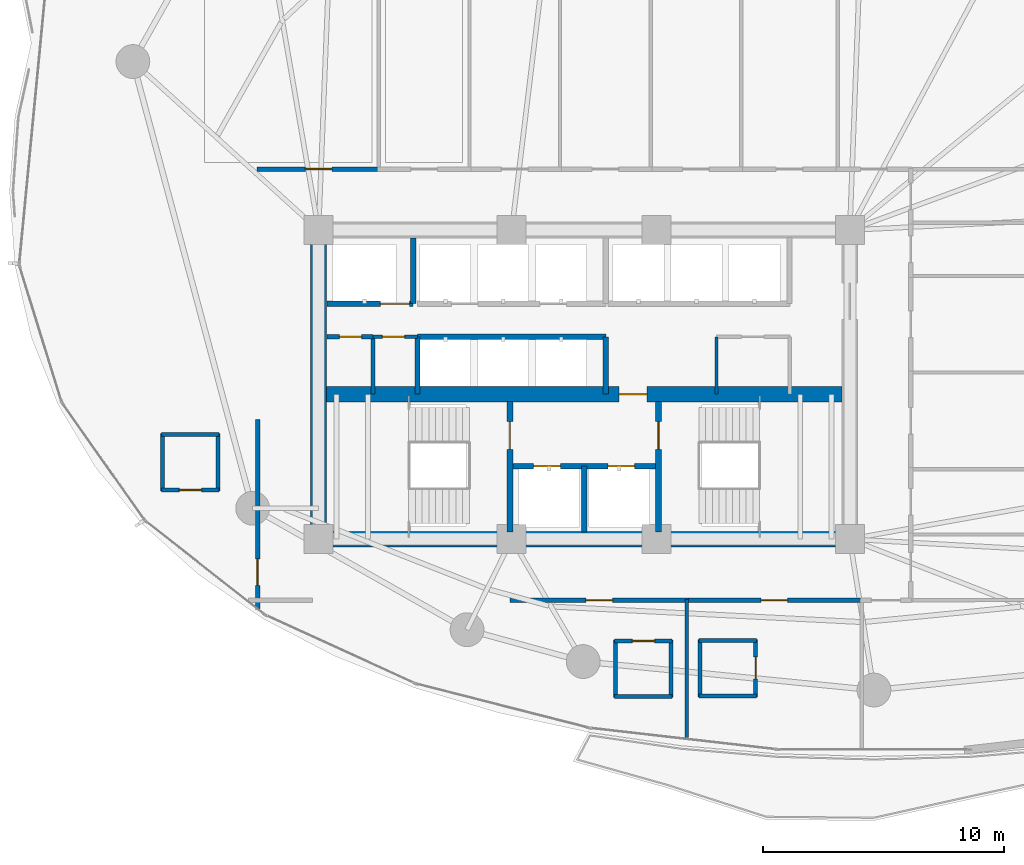
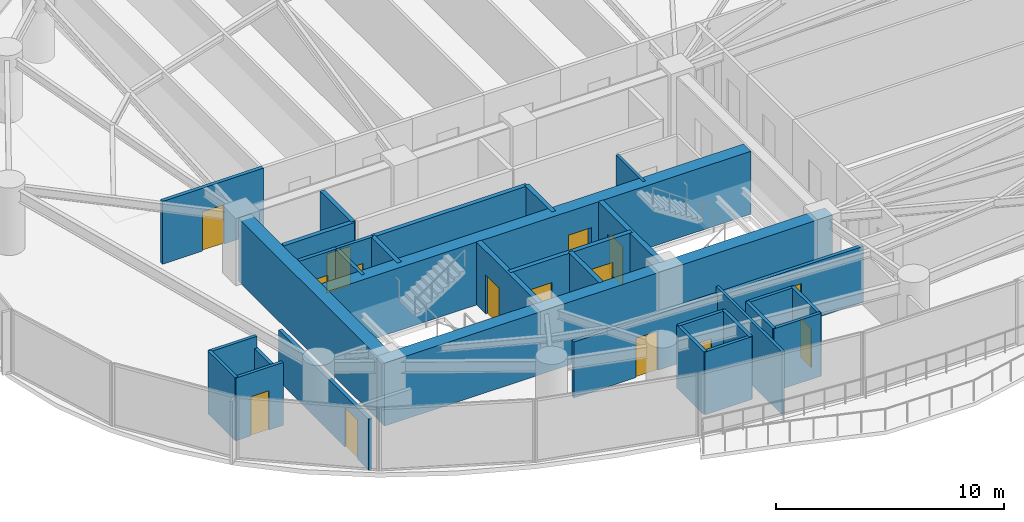
# One storey, part 25 of 32: 33 walls, 15 doors, 15 openings.
"""IFC4 building model written with IfcOpenShell, lengths in metres."""

from ifc_helpers import new_model, si_unit, direction, frame, frame_2d, origin, place, context, subcontext, project, spatial, rectangle, extrude, material, layer, layer_set, type_object, element, fill, save


model = new_model("IFC4")

# Units and contexts
model_context = context("Model", 3, precision=1e-05, world=origin(), true_north=direction((0.0, 1.0)))
body_context = subcontext(model_context, "Body", "Model", "MODEL_VIEW")
ifc_project = project(units=[si_unit("LENGTHUNIT", "METRE"), si_unit("AREAUNIT", "SQUARE_METRE"), si_unit("VOLUMEUNIT", "CUBIC_METRE"), si_unit("PLANEANGLEUNIT", "RADIAN"), si_unit("MASSUNIT", "GRAM", prefix="KILO")], contexts=[model_context])

# Site, building, storey
site_placement = place(None, origin())
site = spatial("IfcSite", under=ifc_project, at=site_placement, CompositionType="ELEMENT")
building_placement = place(site_placement, origin())
building = spatial("IfcBuilding", under=site, at=building_placement, Name="Kazevale Care Tower and Concert Hall", CompositionType="ELEMENT")
storey_placement = place(building_placement, frame((0.0, 0.0, 38.39990234375)))
storey = spatial("IfcBuildingStorey", under=building, at=storey_placement, Name="L09", CompositionType="ELEMENT", Elevation=38.39990234375)

# Walls
ifc_material_1 = material(Name="Acoustic Gypsum on Steel Stud", Category="steel")
ifc_layer_1 = layer(ifc_material_1, 0.139892578125)
ifc_layer_set_1 = layer_set([ifc_layer_1], Name="Acoustic Gypsum on Steel Stud")
wall_type_1 = type_object("IfcWallType", Name="Acoustic Care & Suite Partition 140", PredefinedType="PARTITIONING", material=ifc_layer_set_1)
wall_1_placement = place(storey_placement, frame((38.47998046875, 29.6201171875, 0.0), z_axis=(0.0, 0.0, 1.0), x_axis=(0.0, 1.0, 0.0)))
element("IfcWall", 1, at=wall_1_placement, inside=storey, type_object=wall_type_1, Name="wall:L09:kb_ew", PredefinedType="PARTITIONING", context=body_context, shape_type="SweptSolid", body=[
    extrude(rectangle(XDim=2.35986328125, YDim=0.139892578125, at=frame_2d((1.179931640625, 0.0))), origin(), (0.0, 0.0, 1.0), 3.360107421875),
])
wall_2_placement = place(storey_placement, frame((37.25, 21.10498046875, 0.0), z_axis=(0.0, 0.0, 1.0), x_axis=(0.0, -1.0, 0.0)))
element("IfcWall", 2, at=wall_2_placement, inside=storey, type_object=wall_type_1, Name="wall:L09:auto_032", PredefinedType="PARTITIONING", context=body_context, shape_type="SweptSolid", body=[
    extrude(rectangle(XDim=5.775634765625, YDim=0.139892578125, at=frame_2d((2.8876953125, 0.0))), origin(), (0.0, 0.0, 1.0), 3.360107421875),
])
ifc_material_2 = material(Name="Concrete C70", Category="concrete")
ifc_layer_2 = layer(ifc_material_2, 0.64990234375)
ifc_layer_set_2 = layer_set([ifc_layer_2], Name="Concrete C70")
wall_type_2 = type_object("IfcWallType", Name="Core Shear Wall 650 C70", PredefinedType="SHEAR", material=ifc_layer_set_2)
wall_3_placement = place(storey_placement, frame((21.675048828125, 23.60009765625, 0.0), z_axis=(0.0, 0.0, 1.0), x_axis=(1.0, 0.0, 0.0)))
element("IfcWall", 3, at=wall_3_placement, inside=storey, type_object=wall_type_2, Name="wall:L09:core:S", PredefinedType="SHEAR", context=body_context, shape_type="SweptSolid", body=[
    extrude(rectangle(XDim=22.64990234375, YDim=0.64990234375, at=frame_2d((11.324951171875, 0.0))), origin(), (0.0, 0.0, 1.0), 3.360107421875),
])
wall_4_placement = place(storey_placement, frame((22.0, 23.925048828125, 0.0), z_axis=(0.0, 0.0, 1.0), x_axis=(0.0, 1.0, 0.0)))
element("IfcWall", 4, at=wall_4_placement, inside=storey, type_object=wall_type_2, Name="wall:L09:core:W", PredefinedType="SHEAR", context=body_context, shape_type="SweptSolid", body=[
    extrude(rectangle(XDim=12.14990234375, YDim=0.64990234375, at=frame_2d((6.074951171875, 0.0))), origin(), (0.0, 0.0, 1.0), 3.360107421875),
])

# Wall, opening, door
wall_5_placement = place(storey_placement, frame((22.324951171875, 29.60009765625, 0.0), z_axis=(0.0, 0.0, 1.0), x_axis=(1.0, 0.0, 0.0)))
wall_5 = element("IfcWall", 5, at=wall_5_placement, inside=storey, type_object=wall_type_2, Name="wall:L09:core:M", PredefinedType="SHEAR", context=body_context, shape_type="SweptSolid", body=[
    extrude(rectangle(XDim=21.35009765625, YDim=0.64990234375, at=frame_2d((10.675048828125, 0.0))), origin(), (0.0, 0.0, 1.0), 3.360107421875),
])
opening_1_placement = place(wall_5_placement, frame((12.125, 0.0, 0.0)))
opening_1 = element("IfcOpeningElement", 6, at=opening_1_placement, cuts=wall_5, Name="Opening FD-90", PredefinedType="OPENING", context=body_context, shape_type="SweptSolid", body=[
    extrude(rectangle(XDim=1.14990234375, YDim=2.10009765625, at=frame_2d((0.574951171875, 1.050048828125))), frame((0.0, 0.3349609375, 0.0), z_axis=(0.0, -1.0, 0.0), x_axis=(1.0, 0.0, 0.0)), (0.0, 0.0, 1.0), 0.669921875),
])
ifc_material_3 = material(Name="Steel ASTM A572 Gr 50", Category="steel")
door_type_1 = type_object("IfcDoorType", Name="Pressurized Stair & Lobby Fire Door 1150x2100", OperationType="NOTDEFINED", PredefinedType="DOOR", material=ifc_material_3)
door_1_placement = place(opening_1_placement, origin())
door_1 = element("IfcDoor", 7, at=door_1_placement, inside=storey, type_object=door_type_1, Name="door:L09:ff_to_pax", OperationType="SINGLE_SWING_LEFT", OverallHeight=2.10009765625, OverallWidth=1.14990234375, PredefinedType="DOOR", context=body_context, shape_type="SweptSolid", body=[
    extrude(rectangle(XDim=1.14990234375, YDim=2.10009765625, at=frame_2d((0.574951171875, 1.050048828125))), frame((0.0, 0.02490234375, 0.0), z_axis=(0.0, -1.0, 0.0), x_axis=(1.0, 0.0, 0.0)), (0.0, 0.0, 1.0), 0.050048828125),
])
fill(opening_1, door_1)

# Wall, openings, doors
ifc_material_4 = material(Name="Concrete C40", Category="concrete")
ifc_layer_3 = layer(ifc_material_4, 0.219970703125)
ifc_layer_set_3 = layer_set([ifc_layer_3], Name="Concrete C40")
wall_type_3 = type_object("IfcWallType", Name="Elevator Hoistway Shaft Wall 220", PredefinedType="SOLIDWALL", material=ifc_layer_set_3)
wall_6_placement = place(storey_placement, frame((29.919921875, 26.6201171875, 0.0), z_axis=(0.0, 0.0, 1.0), x_axis=(1.0, 0.0, 0.0)))
wall_6 = element("IfcWall", 8, at=wall_6_placement, inside=storey, type_object=wall_type_3, Name="wall:L09:c_ffl_n", PredefinedType="SOLIDWALL", context=body_context, shape_type="SweptSolid", body=[
    extrude(rectangle(XDim=6.16015625, YDim=0.219970703125, at=frame_2d((3.080078125, 0.0))), origin(), (0.0, 0.0, 1.0), 3.360107421875),
])
opening_2_placement = place(wall_6_placement, frame((0.989990234375, 0.0, 0.0)))
opening_2 = element("IfcOpeningElement", 9, at=opening_2_placement, cuts=wall_6, Name="Opening LD-FF", PredefinedType="OPENING", context=body_context, shape_type="SweptSolid", body=[
    extrude(rectangle(XDim=1.10009765625, YDim=2.10009765625, at=frame_2d((0.550048828125, 1.050048828125))), frame((0.0, 0.119873046875, 0.0), z_axis=(0.0, -1.0, 0.0), x_axis=(1.0, 0.0, 0.0)), (0.0, 0.0, 1.0), 0.239990234375),
])
opening_3_placement = place(wall_6_placement, frame((4.070068359375, 0.0, 0.0)))
opening_3 = element("IfcOpeningElement", 10, at=opening_3_placement, cuts=wall_6, Name="Opening LD-FF", PredefinedType="OPENING", context=body_context, shape_type="SweptSolid", body=[
    extrude(rectangle(XDim=1.10009765625, YDim=2.10009765625, at=frame_2d((0.550048828125, 1.050048828125))), frame((0.0, 0.119873046875, 0.0), z_axis=(0.0, -1.0, 0.0), x_axis=(1.0, 0.0, 0.0)), (0.0, 0.0, 1.0), 0.239990234375),
])
ifc_material_5 = material(Name="Stainless Steel 316", Category="steel")
door_type_2 = type_object("IfcDoorType", Name="Emergency Lift Sliding Landing Door 1100x2100", OperationType="NOTDEFINED", PredefinedType="DOOR", material=ifc_material_5)
door_2_placement = place(opening_2_placement, origin())
door_2 = element("IfcDoor", 11, at=door_2_placement, inside=storey, type_object=door_type_2, Name="door:L09:ld_ffl1", OperationType="SLIDING_TO_LEFT", OverallHeight=2.10009765625, OverallWidth=1.10009765625, PredefinedType="DOOR", context=body_context, shape_type="SweptSolid", body=[
    extrude(rectangle(XDim=1.10009765625, YDim=2.10009765625, at=frame_2d((0.550048828125, 1.050048828125))), frame((0.0, 0.02490234375, 0.0), z_axis=(0.0, -1.0, 0.0), x_axis=(1.0, 0.0, 0.0)), (0.0, 0.0, 1.0), 0.050048828125),
])
fill(opening_2, door_2)
door_3_placement = place(opening_3_placement, origin())
door_3 = element("IfcDoor", 12, at=door_3_placement, inside=storey, type_object=door_type_2, Name="door:L09:ld_ffl2", OperationType="SLIDING_TO_RIGHT", OverallHeight=2.10009765625, OverallWidth=1.10009765625, PredefinedType="DOOR", context=body_context, shape_type="SweptSolid", body=[
    extrude(rectangle(XDim=1.10009765625, YDim=2.10009765625, at=frame_2d((0.550048828125, 1.050048828125))), frame((0.0, 0.02490234375, 0.0), z_axis=(0.0, -1.0, 0.0), x_axis=(1.0, 0.0, 0.0)), (0.0, 0.0, 1.0), 0.050048828125),
])
fill(opening_3, door_3)

# Walls
wall_7_placement = place(storey_placement, frame((33.0, 23.89990234375, 0.0), z_axis=(0.0, 0.0, 1.0), x_axis=(0.0, 1.0, 0.0)))
element("IfcWall", 13, at=wall_7_placement, inside=storey, type_object=wall_type_3, Name="wall:L09:c_ffl_m", PredefinedType="SOLIDWALL", context=body_context, shape_type="SweptSolid", body=[
    extrude(rectangle(XDim=2.72021484375, YDim=0.219970703125, at=frame_2d((1.360107421875, 0.0))), origin(), (0.0, 0.0, 1.0), 3.360107421875),
])
wall_8_placement = place(storey_placement, frame((25.919921875, 33.35009765625, 0.0), z_axis=(0.0, 0.0, 1.0), x_axis=(0.0, 1.0, 0.0)))
element("IfcWall", 14, at=wall_8_placement, inside=storey, type_object=wall_type_3, Name="wall:L09:c_svl_e", PredefinedType="SOLIDWALL", context=body_context, shape_type="SweptSolid", body=[
    extrude(rectangle(XDim=2.72998046875, YDim=0.219970703125, at=frame_2d((1.364990234375, 0.0))), origin(), (0.0, 0.0, 1.0), 3.360107421875),
])

# Wall, opening, door
wall_9_placement = place(storey_placement, frame((22.35009765625, 33.35009765625, 0.0), z_axis=(0.0, 0.0, 1.0), x_axis=(1.0, 0.0, 0.0)))
wall_9 = element("IfcWall", 15, at=wall_9_placement, inside=storey, type_object=wall_type_3, Name="wall:L09:c_svl_s", PredefinedType="SOLIDWALL", context=body_context, shape_type="SweptSolid", body=[
    extrude(rectangle(XDim=3.56982421875, YDim=0.219970703125, at=frame_2d((1.784912109375, 0.0))), origin(), (0.0, 0.0, 1.0), 3.360107421875),
])
opening_4_placement = place(wall_9_placement, frame((2.212890625, 0.0, 0.0)))
opening_4 = element("IfcOpeningElement", 16, at=opening_4_placement, cuts=wall_9, Name="Opening LD-SV", PredefinedType="OPENING", context=body_context, shape_type="SweptSolid", body=[
    extrude(rectangle(XDim=1.199951171875, YDim=2.10009765625, at=frame_2d((0.60009765625, 1.050048828125))), frame((0.0, 0.119873046875, 0.0), z_axis=(0.0, -1.0, 0.0), x_axis=(1.0, 0.0, 0.0)), (0.0, 0.0, 1.0), 0.239990234375),
])
door_type_3 = type_object("IfcDoorType", Name="Service Lift Sliding Landing Door 1200x2100", OperationType="NOTDEFINED", PredefinedType="DOOR", material=ifc_material_5)
door_4_placement = place(opening_4_placement, origin())
door_4 = element("IfcDoor", 17, at=door_4_placement, inside=storey, type_object=door_type_3, Name="door:L09:ld_svl1", OperationType="SLIDING_TO_LEFT", OverallHeight=2.10009765625, OverallWidth=1.199951171875, PredefinedType="DOOR", context=body_context, shape_type="SweptSolid", body=[
    extrude(rectangle(XDim=1.199951171875, YDim=2.10009765625, at=frame_2d((0.60009765625, 1.050048828125))), frame((0.0, 0.02490234375, 0.0), z_axis=(0.0, -1.0, 0.0), x_axis=(1.0, 0.0, 0.0)), (0.0, 0.0, 1.0), 0.050048828125),
])
fill(opening_4, door_4)

# Walls
wall_10_placement = place(storey_placement, frame((26.10009765625, 29.6201171875, 0.0), z_axis=(0.0, 0.0, 1.0), x_axis=(0.0, 1.0, 0.0)))
element("IfcWall", 18, at=wall_10_placement, inside=storey, type_object=wall_type_3, Name="wall:L09:c_ph_w", PredefinedType="SOLIDWALL", context=body_context, shape_type="SweptSolid", body=[
    extrude(rectangle(XDim=2.35986328125, YDim=0.219970703125, at=frame_2d((1.179931640625, 0.0))), origin(), (0.0, 0.0, 1.0), 3.360107421875),
])
wall_11_placement = place(storey_placement, frame((26.10009765625, 31.97998046875, 0.0), z_axis=(0.0, 0.0, 1.0), x_axis=(1.0, 0.0, 0.0)))
element("IfcWall", 19, at=wall_11_placement, inside=storey, type_object=wall_type_3, Name="wall:L09:c_ph_n", PredefinedType="SOLIDWALL", context=body_context, shape_type="SweptSolid", body=[
    extrude(rectangle(XDim=7.7998046875, YDim=0.219970703125, at=frame_2d((3.89990234375, 0.0))), origin(), (0.0, 0.0, 1.0), 3.360107421875),
])
wall_12_placement = place(storey_placement, frame((33.89990234375, 29.6201171875, 0.0), z_axis=(0.0, 0.0, 1.0), x_axis=(0.0, 1.0, 0.0)))
element("IfcWall", 20, at=wall_12_placement, inside=storey, type_object=wall_type_3, Name="wall:L09:c_ph_e", PredefinedType="SOLIDWALL", context=body_context, shape_type="SweptSolid", body=[
    extrude(rectangle(XDim=2.35986328125, YDim=0.219970703125, at=frame_2d((1.179931640625, 0.0))), origin(), (0.0, 0.0, 1.0), 3.360107421875),
])

# Wall, opening, door
ifc_material_6 = material(Name="Concrete C40 and Acoustic Gypsum", Category="concrete")
ifc_layer_4 = layer(ifc_material_6, 0.179931640625)
ifc_layer_set_4 = layer_set([ifc_layer_4], Name="Concrete C40 and Acoustic Gypsum")
wall_type_4 = type_object("IfcWallType", Name="Fire-Rated Corridor & Party Wall 180", PredefinedType="PARTITIONING", material=ifc_layer_set_4)
wall_13_placement = place(storey_placement, frame((22.35009765625, 31.97998046875, 0.0), z_axis=(0.0, 0.0, 1.0), x_axis=(1.0, 0.0, 0.0)))
wall_13 = element("IfcWall", 21, at=wall_13_placement, inside=storey, type_object=wall_type_4, Name="wall:L09:kb_wn0", PredefinedType="PARTITIONING", context=body_context, shape_type="SweptSolid", body=[
    extrude(rectangle(XDim=1.909912109375, YDim=0.179931640625, at=frame_2d((0.955078125, 0.0))), origin(), (0.0, 0.0, 1.0), 3.360107421875),
])
opening_5_placement = place(wall_13_placement, frame((0.514892578125, 0.0, 0.0)))
opening_5 = element("IfcOpeningElement", 22, at=opening_5_placement, cuts=wall_13, Name="Opening ID-900", PredefinedType="OPENING", context=body_context, shape_type="SweptSolid", body=[
    extrude(rectangle(XDim=0.919921875, YDim=2.10009765625, at=frame_2d((0.4599609375, 1.050048828125))), frame((0.0, 0.099853515625, 0.0), z_axis=(0.0, -1.0, 0.0), x_axis=(1.0, 0.0, 0.0)), (0.0, 0.0, 1.0), 0.199951171875),
])
ifc_material_7 = material(Name="Oak Timber Fire Leaf", Category="wood")
door_type_4 = type_object("IfcDoorType", Name="Bathroom & Service Door 920x2100", OperationType="NOTDEFINED", PredefinedType="DOOR", material=ifc_material_7)
door_5_placement = place(opening_5_placement, origin())
door_5 = element("IfcDoor", 23, at=door_5_placement, inside=storey, type_object=door_type_4, Name="door:L09:d_kbw1", OperationType="SINGLE_SWING_LEFT", OverallHeight=2.10009765625, OverallWidth=0.919921875, PredefinedType="DOOR", context=body_context, shape_type="SweptSolid", body=[
    extrude(rectangle(XDim=0.919921875, YDim=2.10009765625, at=frame_2d((0.4599609375, 1.050048828125))), frame((0.0, 0.02490234375, 0.0), z_axis=(0.0, -1.0, 0.0), x_axis=(1.0, 0.0, 0.0)), (0.0, 0.0, 1.0), 0.050048828125),
])
fill(opening_5, door_5)

wall_14_placement = place(storey_placement, frame((19.445068359375, 38.925048828125, 0.0), z_axis=(0.0, 0.0, 1.0), x_axis=(1.0, 0.0, 0.0)))
wall_14 = element("IfcWall", 24, at=wall_14_placement, inside=storey, type_object=wall_type_4, Name="wall:L09:auto_001", PredefinedType="PARTITIONING", context=body_context, shape_type="SweptSolid", body=[
    extrude(rectangle(XDim=5.119873046875, YDim=0.179931640625, at=frame_2d((2.56005859375, 0.0))), origin(), (0.0, 0.0, 1.0), 3.360107421875),
])
opening_6_placement = place(wall_14_placement, frame((2.010009765625, 0.0, 0.0)))
opening_6 = element("IfcOpeningElement", 25, at=opening_6_placement, cuts=wall_14, Name="Opening ID-1100", PredefinedType="OPENING", context=body_context, shape_type="SweptSolid", body=[
    extrude(rectangle(XDim=1.10009765625, YDim=2.10009765625, at=frame_2d((0.550048828125, 1.050048828125))), frame((0.0, 0.099853515625, 0.0), z_axis=(0.0, -1.0, 0.0), x_axis=(1.0, 0.0, 0.0)), (0.0, 0.0, 1.0), 0.199951171875),
])
door_type_5 = type_object("IfcDoorType", Name="Care Bedroom Accessible Door 1100x2100", OperationType="NOTDEFINED", PredefinedType="DOOR", material=ifc_material_7)
door_6_placement = place(opening_6_placement, origin())
door_6 = element("IfcDoor", 26, at=door_6_placement, inside=storey, type_object=door_type_5, Name="door:L09:ad_001", OperationType="SINGLE_SWING_LEFT", OverallHeight=2.10009765625, OverallWidth=1.10009765625, PredefinedType="DOOR", context=body_context, shape_type="SweptSolid", body=[
    extrude(rectangle(XDim=1.10009765625, YDim=2.10009765625, at=frame_2d((0.550048828125, 1.050048828125))), frame((0.0, 0.02490234375, 0.0), z_axis=(0.0, -1.0, 0.0), x_axis=(1.0, 0.0, 0.0)), (0.0, 0.0, 1.0), 0.050048828125),
])
fill(opening_6, door_6)

wall_15_placement = place(storey_placement, frame((37.31494140625, 21.074951171875, 0.0), z_axis=(0.0, 0.0, 1.0), x_axis=(-1.0, 0.0, 0.0)))
wall_15 = element("IfcWall", 27, at=wall_15_placement, inside=storey, type_object=wall_type_4, Name="wall:L09:auto_014", PredefinedType="PARTITIONING", context=body_context, shape_type="SweptSolid", body=[
    extrude(rectangle(XDim=7.3798828125, YDim=0.179931640625, at=frame_2d((3.68994140625, 0.0))), origin(), (0.0, 0.0, 1.0), 2.99609375),
])
opening_7_placement = place(wall_15_placement, frame((3.139892578125, 0.0, 0.0)))
opening_7 = element("IfcOpeningElement", 28, at=opening_7_placement, cuts=wall_15, Name="Opening ID-1100", PredefinedType="OPENING", context=body_context, shape_type="SweptSolid", body=[
    extrude(rectangle(XDim=1.10009765625, YDim=2.10009765625, at=frame_2d((0.550048828125, 1.050048828125))), frame((0.0, 0.099853515625, 0.0), z_axis=(0.0, -1.0, 0.0), x_axis=(1.0, 0.0, 0.0)), (0.0, 0.0, 1.0), 0.199951171875),
])
door_7_placement = place(opening_7_placement, origin())
door_7 = element("IfcDoor", 29, at=door_7_placement, inside=storey, type_object=door_type_5, Name="door:L09:ad_014", OperationType="SINGLE_SWING_LEFT", OverallHeight=2.10009765625, OverallWidth=1.10009765625, PredefinedType="DOOR", context=body_context, shape_type="SweptSolid", body=[
    extrude(rectangle(XDim=1.10009765625, YDim=2.10009765625, at=frame_2d((0.550048828125, 1.050048828125))), frame((0.0, 0.02490234375, 0.0), z_axis=(0.0, -1.0, 0.0), x_axis=(1.0, 0.0, 0.0)), (0.0, 0.0, 1.0), 0.050048828125),
])
fill(opening_7, door_7)

wall_16_placement = place(storey_placement, frame((44.56494140625, 21.074951171875, 0.0), z_axis=(0.0, 0.0, 1.0), x_axis=(-1.0, 0.0, 0.0)))
wall_16 = element("IfcWall", 30, at=wall_16_placement, inside=storey, type_object=wall_type_4, Name="wall:L09:auto_015", PredefinedType="PARTITIONING", context=body_context, shape_type="SweptSolid", body=[
    extrude(rectangle(XDim=7.3798828125, YDim=0.179931640625, at=frame_2d((3.68994140625, 0.0))), origin(), (0.0, 0.0, 1.0), 2.99609375),
])
opening_8_placement = place(wall_16_placement, frame((3.139892578125, 0.0, 0.0)))
opening_8 = element("IfcOpeningElement", 31, at=opening_8_placement, cuts=wall_16, Name="Opening ID-1100", PredefinedType="OPENING", context=body_context, shape_type="SweptSolid", body=[
    extrude(rectangle(XDim=1.10009765625, YDim=2.10009765625, at=frame_2d((0.550048828125, 1.050048828125))), frame((0.0, 0.099853515625, 0.0), z_axis=(0.0, -1.0, 0.0), x_axis=(1.0, 0.0, 0.0)), (0.0, 0.0, 1.0), 0.199951171875),
])
door_8_placement = place(opening_8_placement, origin())
door_8 = element("IfcDoor", 32, at=door_8_placement, inside=storey, type_object=door_type_5, Name="door:L09:ad_015", OperationType="SINGLE_SWING_LEFT", OverallHeight=2.10009765625, OverallWidth=1.10009765625, PredefinedType="DOOR", context=body_context, shape_type="SweptSolid", body=[
    extrude(rectangle(XDim=1.10009765625, YDim=2.10009765625, at=frame_2d((0.550048828125, 1.050048828125))), frame((0.0, 0.02490234375, 0.0), z_axis=(0.0, -1.0, 0.0), x_axis=(1.0, 0.0, 0.0)), (0.0, 0.0, 1.0), 0.050048828125),
])
fill(opening_8, door_8)

wall_17_placement = place(storey_placement, frame((19.47509765625, 20.695068359375, 0.0), z_axis=(0.0, 0.0, 1.0), x_axis=(0.0, 1.0, 0.0)))
wall_17 = element("IfcWall", 33, at=wall_17_placement, inside=storey, type_object=wall_type_4, Name="wall:L09:auto_017", PredefinedType="PARTITIONING", context=body_context, shape_type="SweptSolid", body=[
    extrude(rectangle(XDim=7.869873046875, YDim=0.179931640625, at=frame_2d((3.93505859375, 0.0))), origin(), (0.0, 0.0, 1.0), 2.738037109375),
])
opening_9_placement = place(wall_17_placement, frame((0.985107421875, 0.0, 0.0)))
opening_9 = element("IfcOpeningElement", 34, at=opening_9_placement, cuts=wall_17, Name="Opening ID-1100", PredefinedType="OPENING", context=body_context, shape_type="SweptSolid", body=[
    extrude(rectangle(XDim=1.10009765625, YDim=2.10009765625, at=frame_2d((0.550048828125, 1.050048828125))), frame((0.0, 0.099853515625, 0.0), z_axis=(0.0, -1.0, 0.0), x_axis=(1.0, 0.0, 0.0)), (0.0, 0.0, 1.0), 0.199951171875),
])
door_9_placement = place(opening_9_placement, origin())
door_9 = element("IfcDoor", 35, at=door_9_placement, inside=storey, type_object=door_type_5, Name="door:L09:ad_017", OperationType="SINGLE_SWING_LEFT", OverallHeight=2.10009765625, OverallWidth=1.10009765625, PredefinedType="DOOR", context=body_context, shape_type="SweptSolid", body=[
    extrude(rectangle(XDim=1.10009765625, YDim=2.10009765625, at=frame_2d((0.550048828125, 1.050048828125))), frame((0.0, 0.02490234375, 0.0), z_axis=(0.0, -1.0, 0.0), x_axis=(1.0, 0.0, 0.0)), (0.0, 0.0, 1.0), 0.050048828125),
])
fill(opening_9, door_9)

# Wall
ifc_layer_5 = layer(ifc_material_1, 0.159912109375)
ifc_layer_set_5 = layer_set([ifc_layer_5], Name="Acoustic Gypsum on Steel Stud")
wall_type_5 = type_object("IfcWallType", Name="Moisture-Resistant Bathroom Plumbing Wall 160", PredefinedType="PLUMBINGWALL", material=ifc_layer_set_5)
wall_18_placement = place(storey_placement, frame((24.260009765625, 29.6201171875, 0.0), z_axis=(0.0, 0.0, 1.0), x_axis=(0.0, 1.0, 0.0)))
element("IfcWall", 36, at=wall_18_placement, inside=storey, type_object=wall_type_5, Name="wall:L09:kb_we1", PredefinedType="PLUMBINGWALL", context=body_context, shape_type="SweptSolid", body=[
    extrude(rectangle(XDim=2.35986328125, YDim=0.159912109375, at=frame_2d((1.179931640625, 0.0))), origin(), (0.0, 0.0, 1.0), 3.360107421875),
])

# Wall, opening, door
wall_19_placement = place(storey_placement, frame((24.260009765625, 31.97998046875, 0.0), z_axis=(0.0, 0.0, 1.0), x_axis=(1.0, 0.0, 0.0)))
wall_19 = element("IfcWall", 37, at=wall_19_placement, inside=storey, type_object=wall_type_5, Name="wall:L09:kb_wn1", PredefinedType="PLUMBINGWALL", context=body_context, shape_type="SweptSolid", body=[
    extrude(rectangle(XDim=1.840087890625, YDim=0.159912109375, at=frame_2d((0.919921875, 0.0))), origin(), (0.0, 0.0, 1.0), 3.360107421875),
])
opening_10_placement = place(wall_19_placement, frame((0.387939453125, 0.0, 0.0)))
opening_10 = element("IfcOpeningElement", 38, at=opening_10_placement, cuts=wall_19, Name="Opening ID-900", PredefinedType="OPENING", context=body_context, shape_type="SweptSolid", body=[
    extrude(rectangle(XDim=0.919921875, YDim=2.10009765625, at=frame_2d((0.4599609375, 1.050048828125))), frame((0.0, 0.08984375, 0.0), z_axis=(0.0, -1.0, 0.0), x_axis=(1.0, 0.0, 0.0)), (0.0, 0.0, 1.0), 0.179931640625),
])
door_10_placement = place(opening_10_placement, origin())
door_10 = element("IfcDoor", 39, at=door_10_placement, inside=storey, type_object=door_type_4, Name="door:L09:d_kbw2", OperationType="SINGLE_SWING_RIGHT", OverallHeight=2.10009765625, OverallWidth=0.919921875, PredefinedType="DOOR", context=body_context, shape_type="SweptSolid", body=[
    extrude(rectangle(XDim=0.919921875, YDim=2.10009765625, at=frame_2d((0.4599609375, 1.050048828125))), frame((0.0, 0.02490234375, 0.0), z_axis=(0.0, -1.0, 0.0), x_axis=(1.0, 0.0, 0.0)), (0.0, 0.0, 1.0), 0.050048828125),
])
fill(opening_10, door_10)

# Wall
wall_20_placement = place(storey_placement, frame((34.260009765625, 17.080078125, 0.0), z_axis=(0.0, 0.0, 1.0), x_axis=(1.0, 0.0, 0.0)))
element("IfcWall", 40, at=wall_20_placement, inside=storey, type_object=wall_type_5, Name="wall:L09:sb2a_ens_ws", PredefinedType="PLUMBINGWALL", context=body_context, shape_type="SweptSolid", body=[
    extrude(rectangle(XDim=2.3798828125, YDim=0.159912109375, at=frame_2d((1.18994140625, 0.0))), origin(), (0.0, 0.0, 1.0), 3.360107421875),
])

# Wall, opening, door
wall_21_placement = place(storey_placement, frame((34.260009765625, 19.3798828125, 0.0), z_axis=(0.0, 0.0, 1.0), x_axis=(1.0, 0.0, 0.0)))
wall_21 = element("IfcWall", 41, at=wall_21_placement, inside=storey, type_object=wall_type_5, Name="wall:L09:sb2a_ens_wn", PredefinedType="PLUMBINGWALL", context=body_context, shape_type="SweptSolid", body=[
    extrude(rectangle(XDim=2.3798828125, YDim=0.159912109375, at=frame_2d((1.18994140625, 0.0))), origin(), (0.0, 0.0, 1.0), 3.360107421875),
])
opening_11_placement = place(wall_21_placement, frame((0.739990234375, 0.0, 0.0)))
opening_11 = element("IfcOpeningElement", 42, at=opening_11_placement, cuts=wall_21, Name="Opening ID-900", PredefinedType="OPENING", context=body_context, shape_type="SweptSolid", body=[
    extrude(rectangle(XDim=0.919921875, YDim=2.10009765625, at=frame_2d((0.4599609375, 1.050048828125))), frame((0.0, 0.08984375, 0.0), z_axis=(0.0, -1.0, 0.0), x_axis=(1.0, 0.0, 0.0)), (0.0, 0.0, 1.0), 0.179931640625),
])
door_11_placement = place(opening_11_placement, origin())
door_11 = element("IfcDoor", 43, at=door_11_placement, inside=storey, type_object=door_type_4, Name="door:L09:sb2a_ens_d", OperationType="SINGLE_SWING_RIGHT", OverallHeight=2.10009765625, OverallWidth=0.919921875, PredefinedType="DOOR", context=body_context, shape_type="SweptSolid", body=[
    extrude(rectangle(XDim=0.919921875, YDim=2.10009765625, at=frame_2d((0.4599609375, 1.050048828125))), frame((0.0, 0.02490234375, 0.0), z_axis=(0.0, -1.0, 0.0), x_axis=(1.0, 0.0, 0.0)), (0.0, 0.0, 1.0), 0.050048828125),
])
fill(opening_11, door_11)

# Walls
for number, where, z_axis, x_axis, name in (
    (44, (34.300048828125, 17.0400390625, 0.0), (0.0, 0.0, 1.0), (0.0, 1.0, 0.0), "wall:L09:sb2a_ens_ww"),
    (45, (36.60009765625, 17.0400390625, 0.0), (0.0, 0.0, 1.0), (0.0, 1.0, 0.0), "wall:L09:sb2a_ens_we"),
    (46, (37.760009765625, 17.10888671875, 0.0), (0.0, 0.0, 1.0), (1.0, 0.0, 0.0), "wall:L09:sb2b_ens_ws"),
    (47, (37.760009765625, 19.408935546875, 0.0), (0.0, 0.0, 1.0), (1.0, 0.0, 0.0), "wall:L09:sb2b_ens_wn"),
    (48, (37.800048828125, 17.069091796875, 0.0), (0.0, 0.0, 1.0), (0.0, 1.0, 0.0), "wall:L09:sb2b_ens_ww"),
):
    element("IfcWall", number, at=place(storey_placement, frame(where, z_axis=z_axis, x_axis=x_axis)), inside=storey, type_object=wall_type_5, Name=name, PredefinedType="PLUMBINGWALL", context=body_context, shape_type="SweptSolid", body=[
        extrude(rectangle(XDim=2.3798828125, YDim=0.159912109375, at=frame_2d((1.18994140625, 0.0))), origin(), (0.0, 0.0, 1.0), 3.360107421875),
    ])

# Wall, opening, door
wall_22_placement = place(storey_placement, frame((40.10009765625, 17.069091796875, 0.0), z_axis=(0.0, 0.0, 1.0), x_axis=(0.0, 1.0, 0.0)))
wall_22 = element("IfcWall", 49, at=wall_22_placement, inside=storey, type_object=wall_type_5, Name="wall:L09:sb2b_ens_we", PredefinedType="PLUMBINGWALL", context=body_context, shape_type="SweptSolid", body=[
    extrude(rectangle(XDim=2.3798828125, YDim=0.159912109375, at=frame_2d((1.18994140625, 0.0))), origin(), (0.0, 0.0, 1.0), 3.360107421875),
])
opening_12_placement = place(wall_22_placement, frame((0.739990234375, 0.0, 0.0)))
opening_12 = element("IfcOpeningElement", 50, at=opening_12_placement, cuts=wall_22, Name="Opening ID-900", PredefinedType="OPENING", context=body_context, shape_type="SweptSolid", body=[
    extrude(rectangle(XDim=0.919921875, YDim=2.10009765625, at=frame_2d((0.4599609375, 1.050048828125))), frame((0.0, 0.08984375, 0.0), z_axis=(0.0, -1.0, 0.0), x_axis=(1.0, 0.0, 0.0)), (0.0, 0.0, 1.0), 0.179931640625),
])
door_12_placement = place(opening_12_placement, origin())
door_12 = element("IfcDoor", 51, at=door_12_placement, inside=storey, type_object=door_type_4, Name="door:L09:sb2b_ens_d", OperationType="SINGLE_SWING_LEFT", OverallHeight=2.10009765625, OverallWidth=0.919921875, PredefinedType="DOOR", context=body_context, shape_type="SweptSolid", body=[
    extrude(rectangle(XDim=0.919921875, YDim=2.10009765625, at=frame_2d((0.4599609375, 1.050048828125))), frame((0.0, 0.02490234375, 0.0), z_axis=(0.0, -1.0, 0.0), x_axis=(1.0, 0.0, 0.0)), (0.0, 0.0, 1.0), 0.050048828125),
])
fill(opening_12, door_12)

wall_23_placement = place(storey_placement, frame((15.4970703125, 25.634033203125, 0.0), z_axis=(0.0, 0.0, 1.0), x_axis=(1.0, 0.0, 0.0)))
wall_23 = element("IfcWall", 52, at=wall_23_placement, inside=storey, type_object=wall_type_5, Name="wall:L09:wb1_ens_ws", PredefinedType="PLUMBINGWALL", context=body_context, shape_type="SweptSolid", body=[
    extrude(rectangle(XDim=2.3798828125, YDim=0.159912109375, at=frame_2d((1.18994140625, 0.0))), origin(), (0.0, 0.0, 1.0), 3.360107421875),
])
opening_13_placement = place(wall_23_placement, frame((0.739990234375, 0.0, 0.0)))
opening_13 = element("IfcOpeningElement", 53, at=opening_13_placement, cuts=wall_23, Name="Opening ID-900", PredefinedType="OPENING", context=body_context, shape_type="SweptSolid", body=[
    extrude(rectangle(XDim=0.919921875, YDim=2.10009765625, at=frame_2d((0.4599609375, 1.050048828125))), frame((0.0, 0.08984375, 0.0), z_axis=(0.0, -1.0, 0.0), x_axis=(1.0, 0.0, 0.0)), (0.0, 0.0, 1.0), 0.179931640625),
])
door_13_placement = place(opening_13_placement, origin())
door_13 = element("IfcDoor", 54, at=door_13_placement, inside=storey, type_object=door_type_4, Name="door:L09:wb1_ens_d", OperationType="SINGLE_SWING_RIGHT", OverallHeight=2.10009765625, OverallWidth=0.919921875, PredefinedType="DOOR", context=body_context, shape_type="SweptSolid", body=[
    extrude(rectangle(XDim=0.919921875, YDim=2.10009765625, at=frame_2d((0.4599609375, 1.050048828125))), frame((0.0, 0.02490234375, 0.0), z_axis=(0.0, -1.0, 0.0), x_axis=(1.0, 0.0, 0.0)), (0.0, 0.0, 1.0), 0.050048828125),
])
fill(opening_13, door_13)

# Walls
wall_24_placement = place(storey_placement, frame((15.4970703125, 27.93408203125, 0.0), z_axis=(0.0, 0.0, 1.0), x_axis=(1.0, 0.0, 0.0)))
element("IfcWall", 55, at=wall_24_placement, inside=storey, type_object=wall_type_5, Name="wall:L09:wb1_ens_wn", PredefinedType="PLUMBINGWALL", context=body_context, shape_type="SweptSolid", body=[
    extrude(rectangle(XDim=2.3798828125, YDim=0.159912109375, at=frame_2d((1.18994140625, 0.0))), origin(), (0.0, 0.0, 1.0), 3.360107421875),
])
wall_25_placement = place(storey_placement, frame((15.537109375, 25.593994140625, 0.0), z_axis=(0.0, 0.0, 1.0), x_axis=(0.0, 1.0, 0.0)))
element("IfcWall", 56, at=wall_25_placement, inside=storey, type_object=wall_type_5, Name="wall:L09:wb1_ens_ww", PredefinedType="PLUMBINGWALL", context=body_context, shape_type="SweptSolid", body=[
    extrude(rectangle(XDim=2.380126953125, YDim=0.159912109375, at=frame_2d((1.18994140625, 0.0))), origin(), (0.0, 0.0, 1.0), 3.360107421875),
])
wall_26_placement = place(storey_placement, frame((17.8369140625, 25.593994140625, 0.0), z_axis=(0.0, 0.0, 1.0), x_axis=(0.0, 1.0, 0.0)))
element("IfcWall", 57, at=wall_26_placement, inside=storey, type_object=wall_type_5, Name="wall:L09:wb1_ens_we", PredefinedType="PLUMBINGWALL", context=body_context, shape_type="SweptSolid", body=[
    extrude(rectangle(XDim=2.380126953125, YDim=0.159912109375, at=frame_2d((1.18994140625, 0.0))), origin(), (0.0, 0.0, 1.0), 2.738037109375),
])

# Wall, opening, door
ifc_layer_6 = layer(ifc_material_4, 0.25)
ifc_layer_set_6 = layer_set([ifc_layer_6], Name="Concrete C40")
wall_type_6 = type_object("IfcWallType", Name="Pressurized Stair Shaft Wall 250", PredefinedType="SOLIDWALL", material=ifc_layer_set_6)
wall_27_placement = place(storey_placement, frame((29.919921875, 23.89990234375, 0.0), z_axis=(0.0, 0.0, 1.0), x_axis=(0.0, 1.0, 0.0)))
wall_27 = element("IfcWall", 58, at=wall_27_placement, inside=storey, type_object=wall_type_6, Name="wall:L09:c_st1_e", PredefinedType="SOLIDWALL", context=body_context, shape_type="SweptSolid", body=[
    extrude(rectangle(XDim=5.400146484375, YDim=0.25, at=frame_2d((2.7001953125, 0.0))), origin(), (0.0, 0.0, 1.0), 3.360107421875),
])
opening_14_placement = place(wall_27_placement, frame((3.4208984375, 0.0, 0.0)))
opening_14 = element("IfcOpeningElement", 59, at=opening_14_placement, cuts=wall_27, Name="Opening FD-90", PredefinedType="OPENING", context=body_context, shape_type="SweptSolid", body=[
    extrude(rectangle(XDim=1.14990234375, YDim=2.10009765625, at=frame_2d((0.574951171875, 1.050048828125))), frame((0.0, 0.135009765625, 0.0), z_axis=(0.0, -1.0, 0.0), x_axis=(1.0, 0.0, 0.0)), (0.0, 0.0, 1.0), 0.27001953125),
])
door_14_placement = place(opening_14_placement, origin())
door_14 = element("IfcDoor", 60, at=door_14_placement, inside=storey, type_object=door_type_1, Name="door:L09:st1", OperationType="SINGLE_SWING_RIGHT", OverallHeight=2.10009765625, OverallWidth=1.14990234375, PredefinedType="DOOR", context=body_context, shape_type="SweptSolid", body=[
    extrude(rectangle(XDim=1.14990234375, YDim=2.10009765625, at=frame_2d((0.574951171875, 1.050048828125))), frame((0.0, 0.02490234375, 0.0), z_axis=(0.0, -1.0, 0.0), x_axis=(1.0, 0.0, 0.0)), (0.0, 0.0, 1.0), 0.050048828125),
])
fill(opening_14, door_14)

wall_28_placement = place(storey_placement, frame((36.080078125, 23.89990234375, 0.0), z_axis=(0.0, 0.0, 1.0), x_axis=(0.0, 1.0, 0.0)))
wall_28 = element("IfcWall", 61, at=wall_28_placement, inside=storey, type_object=wall_type_6, Name="wall:L09:c_st2_w", PredefinedType="SOLIDWALL", context=body_context, shape_type="SweptSolid", body=[
    extrude(rectangle(XDim=5.400146484375, YDim=0.25, at=frame_2d((2.7001953125, 0.0))), origin(), (0.0, 0.0, 1.0), 3.360107421875),
])
opening_15_placement = place(wall_28_placement, frame((3.4208984375, 0.0, 0.0)))
opening_15 = element("IfcOpeningElement", 62, at=opening_15_placement, cuts=wall_28, Name="Opening FD-90", PredefinedType="OPENING", context=body_context, shape_type="SweptSolid", body=[
    extrude(rectangle(XDim=1.14990234375, YDim=2.10009765625, at=frame_2d((0.574951171875, 1.050048828125))), frame((0.0, 0.135009765625, 0.0), z_axis=(0.0, -1.0, 0.0), x_axis=(1.0, 0.0, 0.0)), (0.0, 0.0, 1.0), 0.27001953125),
])
door_15_placement = place(opening_15_placement, origin())
door_15 = element("IfcDoor", 63, at=door_15_placement, inside=storey, type_object=door_type_1, Name="door:L09:st2", OperationType="SINGLE_SWING_LEFT", OverallHeight=2.10009765625, OverallWidth=1.14990234375, PredefinedType="DOOR", context=body_context, shape_type="SweptSolid", body=[
    extrude(rectangle(XDim=1.14990234375, YDim=2.10009765625, at=frame_2d((0.574951171875, 1.050048828125))), frame((0.0, 0.02490234375, 0.0), z_axis=(0.0, -1.0, 0.0), x_axis=(1.0, 0.0, 0.0)), (0.0, 0.0, 1.0), 0.050048828125),
])
fill(opening_15, door_15)

save(model, "model.ifc")
